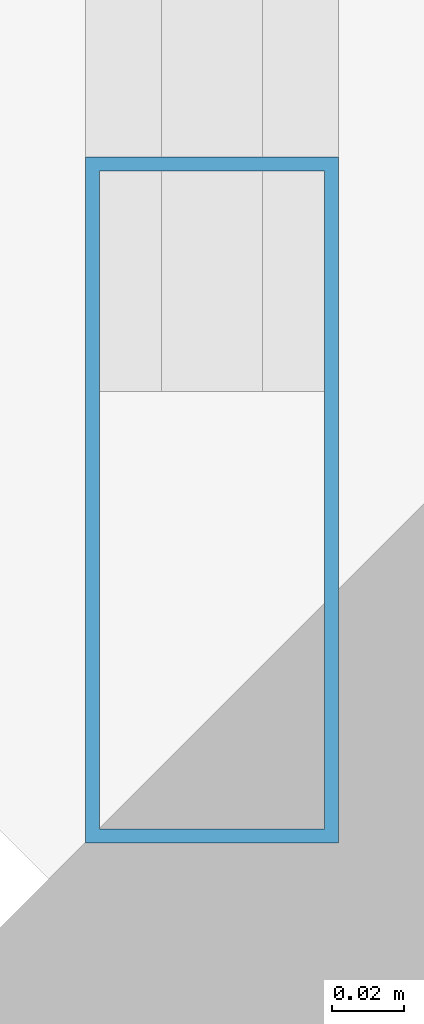
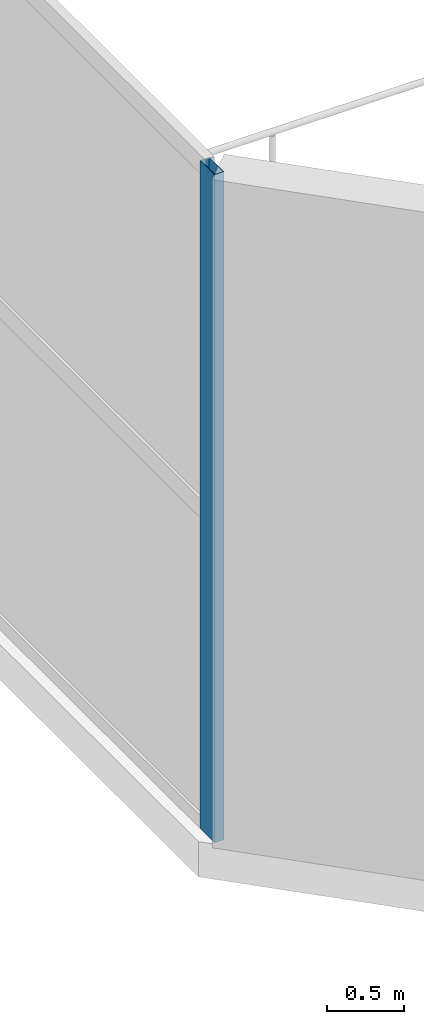
# One storey, part 4 of 35: 1 member, 1 element without a shape of its own.
"""IFC4 building model written with IfcOpenShell, lengths in metres."""

from ifc_helpers import new_model, si_unit, direction, frame, origin, origin_2d, place, context, subcontext, project, spatial, hollow_rectangle, extrude, material, layer, layer_set, material_profile, profile_set, type_object, element, aggregate, save


model = new_model("IFC4")

# Units and contexts
model_context = context("Model", 3, precision=1e-05, world=origin(), true_north=direction((0.0, 1.0)))
body_context = subcontext(model_context, "Body", "Model", "MODEL_VIEW")
ifc_project = project(units=[si_unit("LENGTHUNIT", "METRE"), si_unit("AREAUNIT", "SQUARE_METRE"), si_unit("VOLUMEUNIT", "CUBIC_METRE"), si_unit("PLANEANGLEUNIT", "RADIAN"), si_unit("MASSUNIT", "GRAM", prefix="KILO")], contexts=[model_context])

# Site, building, storey
site_placement = place(None, origin())
site = spatial("IfcSite", under=ifc_project, at=site_placement, CompositionType="ELEMENT")
building_placement = place(site_placement, origin())
building = spatial("IfcBuilding", under=site, at=building_placement, Name="Maruvema Waterfront Hotel and Observation Tower", CompositionType="ELEMENT")
storey_placement = place(building_placement, origin())
storey = spatial("IfcBuildingStorey", under=building, at=storey_placement, Name="L00", CompositionType="ELEMENT", Elevation=0.0)

# Curtain wall, member
ifc_material_1 = material(Name="Anodised bronze aluminium and solar-control low-E IGU", Category="aluminium")
ifc_layer = layer(ifc_material_1, 0.159912109375, Name="Podium Waterfront Storefront Curtain Wall System CW-01")
ifc_layer_set = layer_set([ifc_layer], Name="Anodised bronze aluminium and solar-control low-E IGU")
curtain_wall_type = type_object("IfcCurtainWallType", Name="Podium Waterfront Storefront Curtain Wall System CW-01", PredefinedType="USERDEFINED", material=ifc_layer_set)
curtain_wall_placement = place(storey_placement, origin())
curtain_wall = element("IfcCurtainWall", 1, at=curtain_wall_placement, inside=storey, type_object=curtain_wall_type, Name="L00 Curtain Wall CW-L00-W", ObjectType="UNITISED CURTAIN WALL", PredefinedType="USERDEFINED")
ifc_material_2 = material(Name="Anodised architectural bronze aluminium", Category="aluminium")
ifc_material_profile = material_profile(ifc_material_2, hollow_rectangle(XDim=0.070068359375, YDim=0.18994140625, WallThickness=0.00390625, at=origin_2d()), Name="ALU-M70x190")
ifc_profile_set = profile_set([ifc_material_profile], Name="Anodised architectural bronze aluminium")
member_type = type_object("IfcMemberType", Name="Podium Storefront Heavy Mullion ALU-M70x190", PredefinedType="MULLION", material=ifc_profile_set)
member_placement = place(storey_placement, frame((0.1201171875, 6.429931640625, 0.0), z_axis=(0.0, 0.0, 1.0), x_axis=(1.0, 0.0, 0.0)))
member = element("IfcMember", 2, at=member_placement, type_object=member_type, Name="CW-01 mullion 7", PredefinedType="MULLION", context=body_context, shape_type="SweptSolid", body=[
    extrude(hollow_rectangle(XDim=0.070068359375, YDim=0.18994140625, WallThickness=0.00390625, at=origin_2d()), origin(), (0.0, 0.0, 1.0), 5.320068359375),
])
aggregate(curtain_wall, [member])

save(model, "model.ifc")
